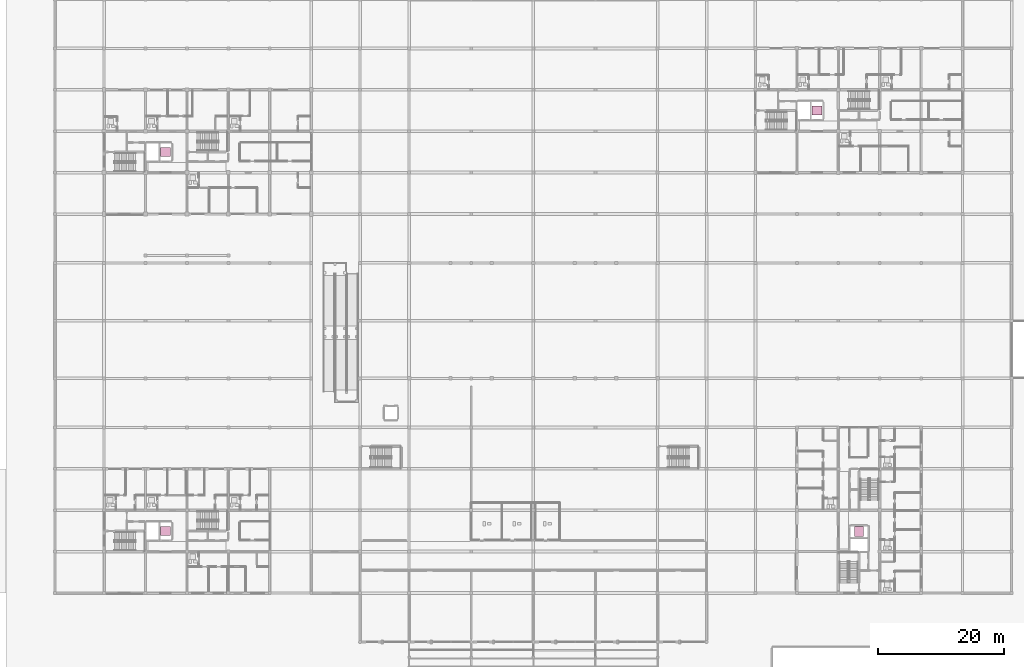
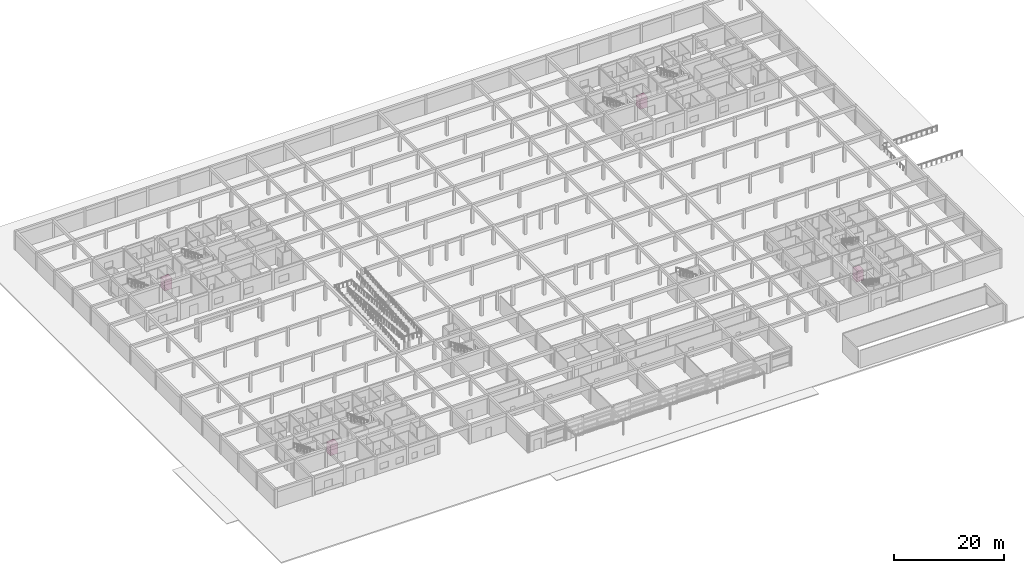
# One storey, part 75 of 75: 4 transport elements.
"""IFC4 building model written with IfcOpenShell, lengths in metres."""

from ifc_helpers import new_model, si_unit, direction, frame, origin, origin_2d, place, context, subcontext, project, spatial, rectangle, extrude, material, type_object, element, save


model = new_model("IFC4")

# Units and contexts
model_context = context("Model", 3, precision=1e-05, world=origin(), true_north=direction((0.0, 1.0)))
body_context = subcontext(model_context, "Body", "Model", "MODEL_VIEW")
ifc_project = project(units=[si_unit("LENGTHUNIT", "METRE"), si_unit("AREAUNIT", "SQUARE_METRE"), si_unit("VOLUMEUNIT", "CUBIC_METRE"), si_unit("PLANEANGLEUNIT", "RADIAN"), si_unit("MASSUNIT", "GRAM", prefix="KILO")], contexts=[model_context])

# Site, building, storey
site_placement = place(None, origin())
site = spatial("IfcSite", under=ifc_project, at=site_placement, CompositionType="ELEMENT")
building_placement = place(site_placement, origin())
building = spatial("IfcBuilding", under=site, at=building_placement, Name="Kernevlak Ridge Housing Community", CompositionType="ELEMENT")
storey_placement = place(building_placement, origin())
storey = spatial("IfcBuildingStorey", under=building, at=storey_placement, Name="L00", CompositionType="ELEMENT", Elevation=0.0)

# Transport elements
ifc_material = material(Name="Stainless steel EN 1.4401", Category="steel")
transport_element_type = type_object("IfcTransportElementType", Name="LT-02", PredefinedType="ELEVATOR", material=ifc_material)
for number, where, z_axis, x_axis, name in (
    (1, (25.39990234375, 85.89990234375, 0.0), (0.0, 0.0, 1.0), (1.0, 0.0, 0.0), "Passenger lift LF-A2"),
    (2, (129.199951171875, 92.5, 0.0), (0.0, 0.0, 1.0), (1.0, 0.0, 0.0), "Passenger lift LF-B2"),
):
    element("IfcTransportElement", number, at=place(storey_placement, frame(where, z_axis=z_axis, x_axis=x_axis)), inside=storey, type_object=transport_element_type, Name=name, PredefinedType="ELEVATOR", context=body_context, shape_type="SweptSolid", body=[
        extrude(rectangle(XDim=1.60009765625, YDim=1.39990234375, at=origin_2d()), origin(), (0.0, 0.0, 1.0), 2.39990234375),
    ])
transport_element_1_placement = place(storey_placement, frame((135.89990234375, 25.39990234375, 0.0), z_axis=(0.0, 0.0, 1.0), x_axis=(1.0, 0.0, 0.0)))
element("IfcTransportElement", 3, at=transport_element_1_placement, inside=storey, type_object=transport_element_type, Name="Passenger lift LF-C2", PredefinedType="ELEVATOR", context=body_context, shape_type="SweptSolid", body=[
    extrude(rectangle(XDim=1.39990234375, YDim=1.60009765625, at=origin_2d()), origin(), (0.0, 0.0, 1.0), 2.39990234375),
])
transport_element_2_placement = place(storey_placement, frame((25.39990234375, 25.5, 0.0), z_axis=(0.0, 0.0, 1.0), x_axis=(1.0, 0.0, 0.0)))
element("IfcTransportElement", 4, at=transport_element_2_placement, inside=storey, type_object=transport_element_type, Name="Passenger lift LF-D2", PredefinedType="ELEVATOR", context=body_context, shape_type="SweptSolid", body=[
    extrude(rectangle(XDim=1.60009765625, YDim=1.39990234375, at=origin_2d()), origin(), (0.0, 0.0, 1.0), 2.39990234375),
])

save(model, "model.ifc")
